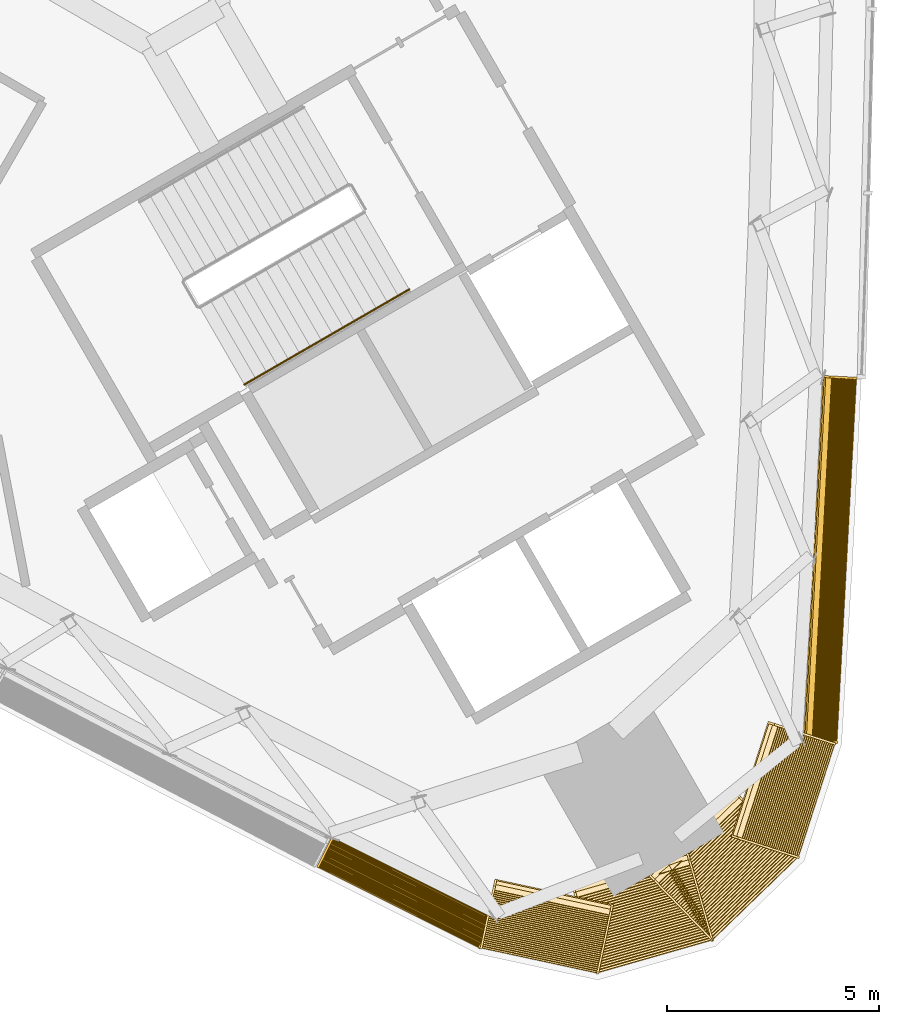
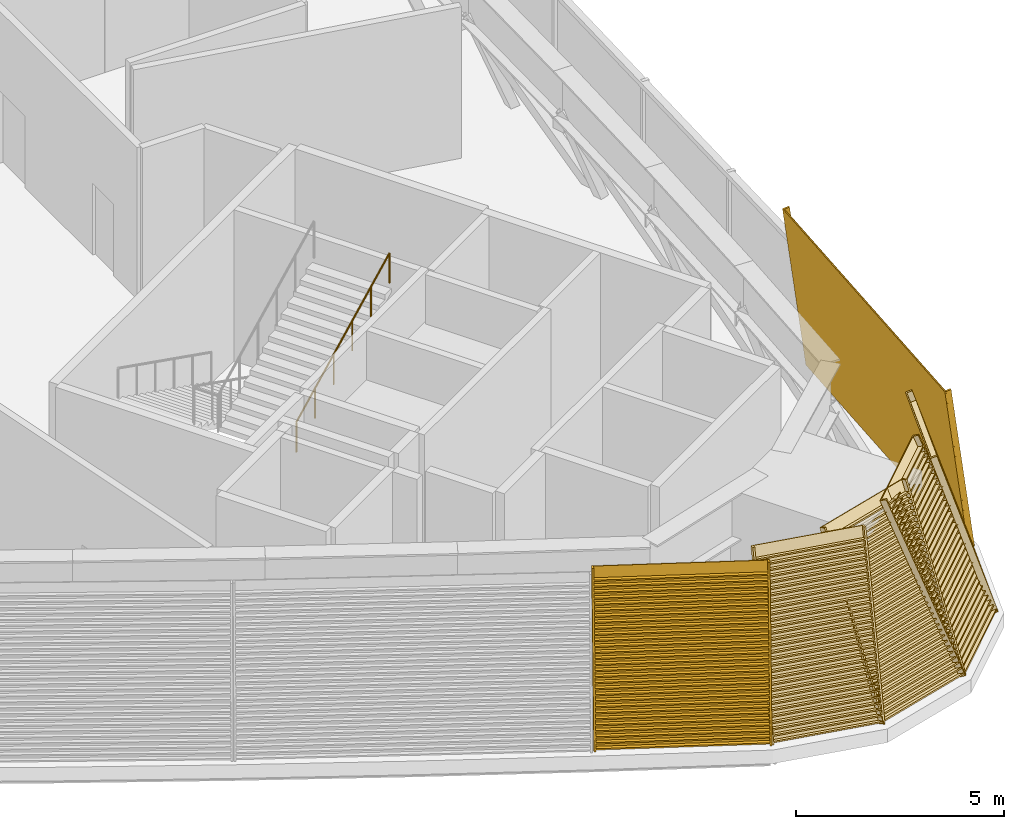
# One storey, part 15 of 18: 6 coverings, 1 railing.
"""IFC4 building model written with IfcOpenShell, lengths in metres."""

from ifc_helpers import new_model, si_unit, direction, frame, frame_2d, origin, origin_2d, place, context, subcontext, project, spatial, rectangle, circle, extrude, source, transform, mapped, material, type_object, element, save


model = new_model("IFC4")

# Units and contexts
model_context = context("Model", 3, precision=1e-05, world=origin(), true_north=direction((0.0, 1.0)))
body_context = subcontext(model_context, "Body", "Model", "MODEL_VIEW")
ifc_project = project(units=[si_unit("LENGTHUNIT", "METRE"), si_unit("AREAUNIT", "SQUARE_METRE"), si_unit("VOLUMEUNIT", "CUBIC_METRE"), si_unit("PLANEANGLEUNIT", "RADIAN"), si_unit("MASSUNIT", "GRAM", prefix="KILO")], contexts=[model_context])

# Site, building, storey
site_placement = place(None, origin())
site = spatial("IfcSite", under=ifc_project, at=site_placement, CompositionType="ELEMENT")
building_placement = place(site_placement, origin())
building = spatial("IfcBuilding", under=site, at=building_placement, Name="Tamra Quay Hotel Tower", CompositionType="ELEMENT")
storey_placement = place(building_placement, frame((0.0, 0.0, 164.800048828125)))
storey = spatial("IfcBuildingStorey", under=building, at=storey_placement, Name="L41", CompositionType="ELEMENT", Elevation=164.800048828125)

# Railing
ifc_material_1 = material(Name="Stair handrail 900")
railing_type = type_object("IfcRailingType", Name="Stair handrail 900", PredefinedType="HANDRAIL", material=ifc_material_1)
railing_placement = place(storey_placement, frame((5.393310546875, -15.351318359375, 2.550048828125)))
element("IfcRailing", 1, at=railing_placement, inside=storey, type_object=railing_type, Name="HR", PredefinedType="HANDRAIL", context=body_context, shape_type="SweptSolid", body=[
    extrude(circle(Radius=0.02392578125, at=origin_2d()), frame((0.0, 0.0, 0.8759765625), z_axis=(0.774075664405, 0.446909609502, 0.448417959844), x_axis=(-0.499997328569, 0.86602694613, 0.0)), (0.0, 0.0, 1.0), 5.017578125),
    extrude(circle(Radius=0.02099609375, at=origin_2d()), origin(), (0.0, 0.0, 1.0), 0.851806640625),
    extrude(circle(Radius=0.02099609375, at=origin_2d()), frame((0.77685546875, 0.448486328125, 0.449951171875)), (0.0, 0.0, 1.0), 0.851806640625),
    extrude(circle(Radius=0.02099609375, at=origin_2d()), frame((1.5537109375, 0.89697265625, 0.89990234375)), (0.0, 0.0, 1.0), 0.851806640625),
    extrude(circle(Radius=0.02099609375, at=origin_2d()), frame((2.330322265625, 1.345458984375, 1.35009765625)), (0.0, 0.0, 1.0), 0.851806640625),
    extrude(circle(Radius=0.02099609375, at=origin_2d()), frame((3.107177734375, 1.7939453125, 1.800048828125)), (0.0, 0.0, 1.0), 0.851806640625),
    extrude(circle(Radius=0.02099609375, at=origin_2d()), frame((3.884033203125, 2.242431640625, 2.25)), (0.0, 0.0, 1.0), 0.851806640625),
])

# Coverings
ifc_material_2 = material(Name="Terracotta louvre panel", Category="masonry")
covering_type_1 = type_object("IfcCoveringType", Name="PLANT LOUVRE H4841", PredefinedType="USERDEFINED", material=ifc_material_2)
shared_shape_1 = source(origin(), body_context, "Body", "SweptSolid", [
    extrude(rectangle(XDim=8.639892578125, YDim=0.030029296875, at=frame_2d((4.31982421875, 0.01513671875))), frame((-4.320068359375, -0.030029296875, 0.0)), (0.0, 0.0, 1.0), 4.841064453125),
    extrude(rectangle(XDim=0.050048828125, YDim=0.139892578125, at=frame_2d((0.02490234375, 0.06982421875))), frame((-4.320068359375, -0.169921875, 0.0)), (0.0, 0.0, 1.0), 4.841064453125),
    extrude(rectangle(XDim=0.050048828125, YDim=0.139892578125, at=frame_2d((0.02490234375, 0.06982421875))), frame((4.27001953125, -0.169921875, 0.0)), (0.0, 0.0, 1.0), 4.841064453125),
    extrude(rectangle(XDim=8.5400390625, YDim=0.139892578125, at=frame_2d((4.27001953125, 0.06982421875))), frame((-4.27001953125, -0.169921875, 0.050048828125)), (0.0, 0.0, 1.0), 0.034912109375),
    extrude(rectangle(XDim=8.5400390625, YDim=0.139892578125, at=frame_2d((4.27001953125, 0.06982421875))), frame((-4.27001953125, -0.169921875, 0.2099609375)), (0.0, 0.0, 1.0), 0.034912109375),
    extrude(rectangle(XDim=8.5400390625, YDim=0.139892578125, at=frame_2d((4.27001953125, 0.06982421875))), frame((-4.27001953125, -0.169921875, 0.3701171875)), (0.0, 0.0, 1.0), 0.034912109375),
    extrude(rectangle(XDim=8.5400390625, YDim=0.139892578125, at=frame_2d((4.27001953125, 0.06982421875))), frame((-4.27001953125, -0.169921875, 0.530029296875)), (0.0, 0.0, 1.0), 0.034912109375),
    extrude(rectangle(XDim=8.5400390625, YDim=0.139892578125, at=frame_2d((4.27001953125, 0.06982421875))), frame((-4.27001953125, -0.169921875, 0.68994140625)), (0.0, 0.0, 1.0), 0.034912109375),
    extrude(rectangle(XDim=8.5400390625, YDim=0.139892578125, at=frame_2d((4.27001953125, 0.06982421875))), frame((-4.27001953125, -0.169921875, 0.85009765625)), (0.0, 0.0, 1.0), 0.034912109375),
    extrude(rectangle(XDim=8.5400390625, YDim=0.139892578125, at=frame_2d((4.27001953125, 0.06982421875))), frame((-4.27001953125, -0.169921875, 1.010009765625)), (0.0, 0.0, 1.0), 0.034912109375),
    extrude(rectangle(XDim=8.5400390625, YDim=0.139892578125, at=frame_2d((4.27001953125, 0.06982421875))), frame((-4.27001953125, -0.169921875, 1.169921875)), (0.0, 0.0, 1.0), 0.034912109375),
    extrude(rectangle(XDim=8.5400390625, YDim=0.139892578125, at=frame_2d((4.27001953125, 0.06982421875))), frame((-4.27001953125, -0.169921875, 1.330078125)), (0.0, 0.0, 1.0), 0.034912109375),
    extrude(rectangle(XDim=8.5400390625, YDim=0.139892578125, at=frame_2d((4.27001953125, 0.06982421875))), frame((-4.27001953125, -0.169921875, 1.489990234375)), (0.0, 0.0, 1.0), 0.034912109375),
    extrude(rectangle(XDim=8.5400390625, YDim=0.139892578125, at=frame_2d((4.27001953125, 0.06982421875))), frame((-4.27001953125, -0.169921875, 1.64990234375)), (0.0, 0.0, 1.0), 0.034912109375),
    extrude(rectangle(XDim=8.5400390625, YDim=0.139892578125, at=frame_2d((4.27001953125, 0.06982421875))), frame((-4.27001953125, -0.169921875, 1.81005859375)), (0.0, 0.0, 1.0), 0.034912109375),
    extrude(rectangle(XDim=8.5400390625, YDim=0.139892578125, at=frame_2d((4.27001953125, 0.06982421875))), frame((-4.27001953125, -0.169921875, 1.969970703125)), (0.0, 0.0, 1.0), 0.034912109375),
    extrude(rectangle(XDim=8.5400390625, YDim=0.139892578125, at=frame_2d((4.27001953125, 0.06982421875))), frame((-4.27001953125, -0.169921875, 2.1298828125)), (0.0, 0.0, 1.0), 0.034912109375),
    extrude(rectangle(XDim=8.5400390625, YDim=0.139892578125, at=frame_2d((4.27001953125, 0.06982421875))), frame((-4.27001953125, -0.169921875, 2.2900390625)), (0.0, 0.0, 1.0), 0.034912109375),
    extrude(rectangle(XDim=8.5400390625, YDim=0.139892578125, at=frame_2d((4.27001953125, 0.06982421875))), frame((-4.27001953125, -0.169921875, 2.449951171875)), (0.0, 0.0, 1.0), 0.034912109375),
    extrude(rectangle(XDim=8.5400390625, YDim=0.139892578125, at=frame_2d((4.27001953125, 0.06982421875))), frame((-4.27001953125, -0.169921875, 2.610107421875)), (0.0, 0.0, 1.0), 0.034912109375),
    extrude(rectangle(XDim=8.5400390625, YDim=0.139892578125, at=frame_2d((4.27001953125, 0.06982421875))), frame((-4.27001953125, -0.169921875, 2.77001953125)), (0.0, 0.0, 1.0), 0.034912109375),
    extrude(rectangle(XDim=8.5400390625, YDim=0.139892578125, at=frame_2d((4.27001953125, 0.06982421875))), frame((-4.27001953125, -0.169921875, 2.929931640625)), (0.0, 0.0, 1.0), 0.034912109375),
    extrude(rectangle(XDim=8.5400390625, YDim=0.139892578125, at=frame_2d((4.27001953125, 0.06982421875))), frame((-4.27001953125, -0.169921875, 3.090087890625)), (0.0, 0.0, 1.0), 0.034912109375),
    extrude(rectangle(XDim=8.5400390625, YDim=0.139892578125, at=frame_2d((4.27001953125, 0.06982421875))), frame((-4.27001953125, -0.169921875, 3.25)), (0.0, 0.0, 1.0), 0.034912109375),
    extrude(rectangle(XDim=8.5400390625, YDim=0.139892578125, at=frame_2d((4.27001953125, 0.06982421875))), frame((-4.27001953125, -0.169921875, 3.409912109375)), (0.0, 0.0, 1.0), 0.034912109375),
    extrude(rectangle(XDim=8.5400390625, YDim=0.139892578125, at=frame_2d((4.27001953125, 0.06982421875))), frame((-4.27001953125, -0.169921875, 3.570068359375)), (0.0, 0.0, 1.0), 0.034912109375),
    extrude(rectangle(XDim=8.5400390625, YDim=0.139892578125, at=frame_2d((4.27001953125, 0.06982421875))), frame((-4.27001953125, -0.169921875, 3.72998046875)), (0.0, 0.0, 1.0), 0.034912109375),
    extrude(rectangle(XDim=8.5400390625, YDim=0.139892578125, at=frame_2d((4.27001953125, 0.06982421875))), frame((-4.27001953125, -0.169921875, 3.889892578125)), (0.0, 0.0, 1.0), 0.034912109375),
    extrude(rectangle(XDim=8.5400390625, YDim=0.139892578125, at=frame_2d((4.27001953125, 0.06982421875))), frame((-4.27001953125, -0.169921875, 4.050048828125)), (0.0, 0.0, 1.0), 0.034912109375),
    extrude(rectangle(XDim=8.5400390625, YDim=0.139892578125, at=frame_2d((4.27001953125, 0.06982421875))), frame((-4.27001953125, -0.169921875, 4.2099609375)), (0.0, 0.0, 1.0), 0.034912109375),
    extrude(rectangle(XDim=8.5400390625, YDim=0.139892578125, at=frame_2d((4.27001953125, 0.06982421875))), frame((-4.27001953125, -0.169921875, 4.3701171875)), (0.0, 0.0, 1.0), 0.034912109375),
    extrude(rectangle(XDim=8.5400390625, YDim=0.139892578125, at=frame_2d((4.27001953125, 0.06982421875))), frame((-4.27001953125, -0.169921875, 4.530029296875)), (0.0, 0.0, 1.0), 0.034912109375),
])
covering_1_placement = place(storey_placement, frame((19.430419921875, -19.484130859375, 0.0), z_axis=(-0.130337888847, 0.007008679353, 0.991444861374), x_axis=(0.053695578134, 0.998557351828, 0.0)))
element("IfcCovering", 2, at=covering_1_placement, inside=storey, type_object=covering_type_1, Name="Plant louvre L41.E.f00", ObjectType="LOUVER", PredefinedType="USERDEFINED", context=body_context, shape_type="MappedRepresentation", body=[
    mapped(shared_shape_1, transform((0.0, 0.0, 0.0), scale=1.0)),
])
covering_type_2 = type_object("IfcCoveringType", Name="PLANT LOUVRE H4874", PredefinedType="USERDEFINED", material=ifc_material_2)
shared_shape_2 = source(origin(), body_context, "Body", "SweptSolid", [
    extrude(rectangle(XDim=4.300048828125, YDim=0.030029296875, at=frame_2d((2.14990234375, 0.01513671875))), frame((-2.14990234375, -0.030029296875, 0.0)), (0.0, 0.0, 1.0), 4.8740234375),
    extrude(rectangle(XDim=0.050048828125, YDim=0.139892578125, at=frame_2d((0.02490234375, 0.06982421875))), frame((-2.14990234375, -0.169921875, 0.0)), (0.0, 0.0, 1.0), 4.8740234375),
    extrude(rectangle(XDim=0.050048828125, YDim=0.139892578125, at=frame_2d((0.02490234375, 0.06982421875))), frame((2.10009765625, -0.169921875, 0.0)), (0.0, 0.0, 1.0), 4.8740234375),
    extrude(rectangle(XDim=4.199951171875, YDim=0.139892578125, at=frame_2d((2.10009765625, 0.06982421875))), frame((-2.10009765625, -0.169921875, 0.050048828125)), (0.0, 0.0, 1.0), 0.034912109375),
    extrude(rectangle(XDim=4.199951171875, YDim=0.139892578125, at=frame_2d((2.10009765625, 0.06982421875))), frame((-2.10009765625, -0.169921875, 0.2099609375)), (0.0, 0.0, 1.0), 0.034912109375),
    extrude(rectangle(XDim=4.199951171875, YDim=0.139892578125, at=frame_2d((2.10009765625, 0.06982421875))), frame((-2.10009765625, -0.169921875, 0.3701171875)), (0.0, 0.0, 1.0), 0.034912109375),
    extrude(rectangle(XDim=4.199951171875, YDim=0.139892578125, at=frame_2d((2.10009765625, 0.06982421875))), frame((-2.10009765625, -0.169921875, 0.530029296875)), (0.0, 0.0, 1.0), 0.034912109375),
    extrude(rectangle(XDim=4.199951171875, YDim=0.139892578125, at=frame_2d((2.10009765625, 0.06982421875))), frame((-2.10009765625, -0.169921875, 0.68994140625)), (0.0, 0.0, 1.0), 0.034912109375),
    extrude(rectangle(XDim=4.199951171875, YDim=0.139892578125, at=frame_2d((2.10009765625, 0.06982421875))), frame((-2.10009765625, -0.169921875, 0.85009765625)), (0.0, 0.0, 1.0), 0.034912109375),
    extrude(rectangle(XDim=4.199951171875, YDim=0.139892578125, at=frame_2d((2.10009765625, 0.06982421875))), frame((-2.10009765625, -0.169921875, 1.010009765625)), (0.0, 0.0, 1.0), 0.034912109375),
    extrude(rectangle(XDim=4.199951171875, YDim=0.139892578125, at=frame_2d((2.10009765625, 0.06982421875))), frame((-2.10009765625, -0.169921875, 1.169921875)), (0.0, 0.0, 1.0), 0.034912109375),
    extrude(rectangle(XDim=4.199951171875, YDim=0.139892578125, at=frame_2d((2.10009765625, 0.06982421875))), frame((-2.10009765625, -0.169921875, 1.330078125)), (0.0, 0.0, 1.0), 0.034912109375),
    extrude(rectangle(XDim=4.199951171875, YDim=0.139892578125, at=frame_2d((2.10009765625, 0.06982421875))), frame((-2.10009765625, -0.169921875, 1.489990234375)), (0.0, 0.0, 1.0), 0.034912109375),
    extrude(rectangle(XDim=4.199951171875, YDim=0.139892578125, at=frame_2d((2.10009765625, 0.06982421875))), frame((-2.10009765625, -0.169921875, 1.64990234375)), (0.0, 0.0, 1.0), 0.034912109375),
    extrude(rectangle(XDim=4.199951171875, YDim=0.139892578125, at=frame_2d((2.10009765625, 0.06982421875))), frame((-2.10009765625, -0.169921875, 1.81005859375)), (0.0, 0.0, 1.0), 0.034912109375),
    extrude(rectangle(XDim=4.199951171875, YDim=0.139892578125, at=frame_2d((2.10009765625, 0.06982421875))), frame((-2.10009765625, -0.169921875, 1.969970703125)), (0.0, 0.0, 1.0), 0.034912109375),
    extrude(rectangle(XDim=4.199951171875, YDim=0.139892578125, at=frame_2d((2.10009765625, 0.06982421875))), frame((-2.10009765625, -0.169921875, 2.1298828125)), (0.0, 0.0, 1.0), 0.034912109375),
    extrude(rectangle(XDim=4.199951171875, YDim=0.139892578125, at=frame_2d((2.10009765625, 0.06982421875))), frame((-2.10009765625, -0.169921875, 2.2900390625)), (0.0, 0.0, 1.0), 0.034912109375),
    extrude(rectangle(XDim=4.199951171875, YDim=0.139892578125, at=frame_2d((2.10009765625, 0.06982421875))), frame((-2.10009765625, -0.169921875, 2.449951171875)), (0.0, 0.0, 1.0), 0.034912109375),
    extrude(rectangle(XDim=4.199951171875, YDim=0.139892578125, at=frame_2d((2.10009765625, 0.06982421875))), frame((-2.10009765625, -0.169921875, 2.610107421875)), (0.0, 0.0, 1.0), 0.034912109375),
    extrude(rectangle(XDim=4.199951171875, YDim=0.139892578125, at=frame_2d((2.10009765625, 0.06982421875))), frame((-2.10009765625, -0.169921875, 2.77001953125)), (0.0, 0.0, 1.0), 0.034912109375),
    extrude(rectangle(XDim=4.199951171875, YDim=0.139892578125, at=frame_2d((2.10009765625, 0.06982421875))), frame((-2.10009765625, -0.169921875, 2.929931640625)), (0.0, 0.0, 1.0), 0.034912109375),
    extrude(rectangle(XDim=4.199951171875, YDim=0.139892578125, at=frame_2d((2.10009765625, 0.06982421875))), frame((-2.10009765625, -0.169921875, 3.090087890625)), (0.0, 0.0, 1.0), 0.034912109375),
    extrude(rectangle(XDim=4.199951171875, YDim=0.139892578125, at=frame_2d((2.10009765625, 0.06982421875))), frame((-2.10009765625, -0.169921875, 3.25)), (0.0, 0.0, 1.0), 0.034912109375),
    extrude(rectangle(XDim=4.199951171875, YDim=0.139892578125, at=frame_2d((2.10009765625, 0.06982421875))), frame((-2.10009765625, -0.169921875, 3.409912109375)), (0.0, 0.0, 1.0), 0.034912109375),
    extrude(rectangle(XDim=4.199951171875, YDim=0.139892578125, at=frame_2d((2.10009765625, 0.06982421875))), frame((-2.10009765625, -0.169921875, 3.570068359375)), (0.0, 0.0, 1.0), 0.034912109375),
    extrude(rectangle(XDim=4.199951171875, YDim=0.139892578125, at=frame_2d((2.10009765625, 0.06982421875))), frame((-2.10009765625, -0.169921875, 3.72998046875)), (0.0, 0.0, 1.0), 0.034912109375),
    extrude(rectangle(XDim=4.199951171875, YDim=0.139892578125, at=frame_2d((2.10009765625, 0.06982421875))), frame((-2.10009765625, -0.169921875, 3.889892578125)), (0.0, 0.0, 1.0), 0.034912109375),
    extrude(rectangle(XDim=4.199951171875, YDim=0.139892578125, at=frame_2d((2.10009765625, 0.06982421875))), frame((-2.10009765625, -0.169921875, 4.050048828125)), (0.0, 0.0, 1.0), 0.034912109375),
    extrude(rectangle(XDim=4.199951171875, YDim=0.139892578125, at=frame_2d((2.10009765625, 0.06982421875))), frame((-2.10009765625, -0.169921875, 4.2099609375)), (0.0, 0.0, 1.0), 0.034912109375),
    extrude(rectangle(XDim=4.199951171875, YDim=0.139892578125, at=frame_2d((2.10009765625, 0.06982421875))), frame((-2.10009765625, -0.169921875, 4.3701171875)), (0.0, 0.0, 1.0), 0.034912109375),
    extrude(rectangle(XDim=4.199951171875, YDim=0.139892578125, at=frame_2d((2.10009765625, 0.06982421875))), frame((-2.10009765625, -0.169921875, 4.530029296875)), (0.0, 0.0, 1.0), 0.034912109375),
])
covering_2_placement = place(storey_placement, frame((9.095458984375, -27.538330078125, 0.0), z_axis=(0.077700322209, 0.155294396344, 0.984807753012), x_axis=(0.894304785861, -0.447458322065, 0.0)))
element("IfcCovering", 3, at=covering_2_placement, inside=storey, type_object=covering_type_2, Name="Plant louvre L41.SW.f10", ObjectType="LOUVER", PredefinedType="USERDEFINED", context=body_context, shape_type="MappedRepresentation", body=[
    mapped(shared_shape_2, transform((0.0, 0.0, 0.0), scale=1.0)),
])
covering_type_3 = type_object("IfcCoveringType", Name="PLANT LOUVRE H5033", PredefinedType="USERDEFINED", material=ifc_material_2)
shared_shape_3 = source(origin(), body_context, "Body", "SweptSolid", [
    extrude(rectangle(XDim=2.860107421875, YDim=0.030029296875, at=frame_2d((1.43017578125, 0.01513671875))), frame((-1.429931640625, -0.030029296875, 0.0)), (0.0, 0.0, 1.0), 5.032958984375),
    extrude(rectangle(XDim=0.050048828125, YDim=0.139892578125, at=frame_2d((0.02490234375, 0.06982421875))), frame((-1.429931640625, -0.169921875, 0.0)), (0.0, 0.0, 1.0), 5.032958984375),
    extrude(rectangle(XDim=0.050048828125, YDim=0.139892578125, at=frame_2d((0.02490234375, 0.06982421875))), frame((1.3798828125, -0.169921875, 0.0)), (0.0, 0.0, 1.0), 5.032958984375),
    extrude(rectangle(XDim=2.760009765625, YDim=0.139892578125, at=frame_2d((1.3798828125, 0.06982421875))), frame((-1.3798828125, -0.169921875, 0.050048828125)), (0.0, 0.0, 1.0), 0.034912109375),
    extrude(rectangle(XDim=2.760009765625, YDim=0.139892578125, at=frame_2d((1.3798828125, 0.06982421875))), frame((-1.3798828125, -0.169921875, 0.2099609375)), (0.0, 0.0, 1.0), 0.034912109375),
    extrude(rectangle(XDim=2.760009765625, YDim=0.139892578125, at=frame_2d((1.3798828125, 0.06982421875))), frame((-1.3798828125, -0.169921875, 0.3701171875)), (0.0, 0.0, 1.0), 0.034912109375),
    extrude(rectangle(XDim=2.760009765625, YDim=0.139892578125, at=frame_2d((1.3798828125, 0.06982421875))), frame((-1.3798828125, -0.169921875, 0.530029296875)), (0.0, 0.0, 1.0), 0.034912109375),
    extrude(rectangle(XDim=2.760009765625, YDim=0.139892578125, at=frame_2d((1.3798828125, 0.06982421875))), frame((-1.3798828125, -0.169921875, 0.68994140625)), (0.0, 0.0, 1.0), 0.034912109375),
    extrude(rectangle(XDim=2.760009765625, YDim=0.139892578125, at=frame_2d((1.3798828125, 0.06982421875))), frame((-1.3798828125, -0.169921875, 0.85009765625)), (0.0, 0.0, 1.0), 0.034912109375),
    extrude(rectangle(XDim=2.760009765625, YDim=0.139892578125, at=frame_2d((1.3798828125, 0.06982421875))), frame((-1.3798828125, -0.169921875, 1.010009765625)), (0.0, 0.0, 1.0), 0.034912109375),
    extrude(rectangle(XDim=2.760009765625, YDim=0.139892578125, at=frame_2d((1.3798828125, 0.06982421875))), frame((-1.3798828125, -0.169921875, 1.169921875)), (0.0, 0.0, 1.0), 0.034912109375),
    extrude(rectangle(XDim=2.760009765625, YDim=0.139892578125, at=frame_2d((1.3798828125, 0.06982421875))), frame((-1.3798828125, -0.169921875, 1.330078125)), (0.0, 0.0, 1.0), 0.034912109375),
    extrude(rectangle(XDim=2.760009765625, YDim=0.139892578125, at=frame_2d((1.3798828125, 0.06982421875))), frame((-1.3798828125, -0.169921875, 1.489990234375)), (0.0, 0.0, 1.0), 0.034912109375),
    extrude(rectangle(XDim=2.760009765625, YDim=0.139892578125, at=frame_2d((1.3798828125, 0.06982421875))), frame((-1.3798828125, -0.169921875, 1.64990234375)), (0.0, 0.0, 1.0), 0.034912109375),
    extrude(rectangle(XDim=2.760009765625, YDim=0.139892578125, at=frame_2d((1.3798828125, 0.06982421875))), frame((-1.3798828125, -0.169921875, 1.81005859375)), (0.0, 0.0, 1.0), 0.034912109375),
    extrude(rectangle(XDim=2.760009765625, YDim=0.139892578125, at=frame_2d((1.3798828125, 0.06982421875))), frame((-1.3798828125, -0.169921875, 1.969970703125)), (0.0, 0.0, 1.0), 0.034912109375),
    extrude(rectangle(XDim=2.760009765625, YDim=0.139892578125, at=frame_2d((1.3798828125, 0.06982421875))), frame((-1.3798828125, -0.169921875, 2.1298828125)), (0.0, 0.0, 1.0), 0.034912109375),
    extrude(rectangle(XDim=2.760009765625, YDim=0.139892578125, at=frame_2d((1.3798828125, 0.06982421875))), frame((-1.3798828125, -0.169921875, 2.2900390625)), (0.0, 0.0, 1.0), 0.034912109375),
    extrude(rectangle(XDim=2.760009765625, YDim=0.139892578125, at=frame_2d((1.3798828125, 0.06982421875))), frame((-1.3798828125, -0.169921875, 2.449951171875)), (0.0, 0.0, 1.0), 0.034912109375),
    extrude(rectangle(XDim=2.760009765625, YDim=0.139892578125, at=frame_2d((1.3798828125, 0.06982421875))), frame((-1.3798828125, -0.169921875, 2.610107421875)), (0.0, 0.0, 1.0), 0.034912109375),
    extrude(rectangle(XDim=2.760009765625, YDim=0.139892578125, at=frame_2d((1.3798828125, 0.06982421875))), frame((-1.3798828125, -0.169921875, 2.77001953125)), (0.0, 0.0, 1.0), 0.034912109375),
    extrude(rectangle(XDim=2.760009765625, YDim=0.139892578125, at=frame_2d((1.3798828125, 0.06982421875))), frame((-1.3798828125, -0.169921875, 2.929931640625)), (0.0, 0.0, 1.0), 0.034912109375),
    extrude(rectangle(XDim=2.760009765625, YDim=0.139892578125, at=frame_2d((1.3798828125, 0.06982421875))), frame((-1.3798828125, -0.169921875, 3.090087890625)), (0.0, 0.0, 1.0), 0.034912109375),
    extrude(rectangle(XDim=2.760009765625, YDim=0.139892578125, at=frame_2d((1.3798828125, 0.06982421875))), frame((-1.3798828125, -0.169921875, 3.25)), (0.0, 0.0, 1.0), 0.034912109375),
    extrude(rectangle(XDim=2.760009765625, YDim=0.139892578125, at=frame_2d((1.3798828125, 0.06982421875))), frame((-1.3798828125, -0.169921875, 3.409912109375)), (0.0, 0.0, 1.0), 0.034912109375),
    extrude(rectangle(XDim=2.760009765625, YDim=0.139892578125, at=frame_2d((1.3798828125, 0.06982421875))), frame((-1.3798828125, -0.169921875, 3.570068359375)), (0.0, 0.0, 1.0), 0.034912109375),
    extrude(rectangle(XDim=2.760009765625, YDim=0.139892578125, at=frame_2d((1.3798828125, 0.06982421875))), frame((-1.3798828125, -0.169921875, 3.72998046875)), (0.0, 0.0, 1.0), 0.034912109375),
    extrude(rectangle(XDim=2.760009765625, YDim=0.139892578125, at=frame_2d((1.3798828125, 0.06982421875))), frame((-1.3798828125, -0.169921875, 3.889892578125)), (0.0, 0.0, 1.0), 0.034912109375),
    extrude(rectangle(XDim=2.760009765625, YDim=0.139892578125, at=frame_2d((1.3798828125, 0.06982421875))), frame((-1.3798828125, -0.169921875, 4.050048828125)), (0.0, 0.0, 1.0), 0.034912109375),
    extrude(rectangle(XDim=2.760009765625, YDim=0.139892578125, at=frame_2d((1.3798828125, 0.06982421875))), frame((-1.3798828125, -0.169921875, 4.2099609375)), (0.0, 0.0, 1.0), 0.034912109375),
    extrude(rectangle(XDim=2.760009765625, YDim=0.139892578125, at=frame_2d((1.3798828125, 0.06982421875))), frame((-1.3798828125, -0.169921875, 4.3701171875)), (0.0, 0.0, 1.0), 0.034912109375),
    extrude(rectangle(XDim=2.760009765625, YDim=0.139892578125, at=frame_2d((1.3798828125, 0.06982421875))), frame((-1.3798828125, -0.169921875, 4.530029296875)), (0.0, 0.0, 1.0), 0.034912109375),
    extrude(rectangle(XDim=2.760009765625, YDim=0.139892578125, at=frame_2d((1.3798828125, 0.06982421875))), frame((-1.3798828125, -0.169921875, 4.68994140625)), (0.0, 0.0, 1.0), 0.034912109375),
])
for number, where, z_axis, x_axis, name in (
    (4, (12.376708984375, -28.78857421875, 0.0), (0.063478838166, 0.293929268636, 0.953716950748), (0.97746458206, -0.211099480856, 0.0), "Plant louvre L41.SW.c00"),
    (5, (18.743408203125, -25.11279296875, 0.0), (-0.286289632637, 0.091990347864, 0.953716950748), (0.305914777883, 0.952058899792, 0.0), "Plant louvre L41.SW.c03"),
):
    element("IfcCovering", number, at=place(storey_placement, frame(where, z_axis=z_axis, x_axis=x_axis)), inside=storey, type_object=covering_type_3, Name=name, ObjectType="LOUVER", PredefinedType="USERDEFINED", context=body_context, shape_type="MappedRepresentation", body=[
        mapped(shared_shape_3, transform((0.0, 0.0, 0.0), scale=1.0)),
    ])
covering_type_4 = type_object("IfcCoveringType", Name="PLANT LOUVRE H5195", PredefinedType="USERDEFINED", material=ifc_material_2)
shared_shape_4 = source(origin(), body_context, "Body", "SweptSolid", [
    extrude(rectangle(XDim=2.860107421875, YDim=0.030029296875, at=frame_2d((1.43017578125, 0.01513671875))), frame((-1.429931640625, -0.030029296875, 0.0)), (0.0, 0.0, 1.0), 5.195068359375),
    extrude(rectangle(XDim=0.050048828125, YDim=0.139892578125, at=frame_2d((0.02490234375, 0.06982421875))), frame((-1.429931640625, -0.169921875, 0.0)), (0.0, 0.0, 1.0), 5.195068359375),
    extrude(rectangle(XDim=0.050048828125, YDim=0.139892578125, at=frame_2d((0.02490234375, 0.06982421875))), frame((1.3798828125, -0.169921875, 0.0)), (0.0, 0.0, 1.0), 5.195068359375),
    extrude(rectangle(XDim=2.760009765625, YDim=0.139892578125, at=frame_2d((1.3798828125, 0.06982421875))), frame((-1.3798828125, -0.169921875, 0.050048828125)), (0.0, 0.0, 1.0), 0.034912109375),
    extrude(rectangle(XDim=2.760009765625, YDim=0.139892578125, at=frame_2d((1.3798828125, 0.06982421875))), frame((-1.3798828125, -0.169921875, 0.2099609375)), (0.0, 0.0, 1.0), 0.034912109375),
    extrude(rectangle(XDim=2.760009765625, YDim=0.139892578125, at=frame_2d((1.3798828125, 0.06982421875))), frame((-1.3798828125, -0.169921875, 0.3701171875)), (0.0, 0.0, 1.0), 0.034912109375),
    extrude(rectangle(XDim=2.760009765625, YDim=0.139892578125, at=frame_2d((1.3798828125, 0.06982421875))), frame((-1.3798828125, -0.169921875, 0.530029296875)), (0.0, 0.0, 1.0), 0.034912109375),
    extrude(rectangle(XDim=2.760009765625, YDim=0.139892578125, at=frame_2d((1.3798828125, 0.06982421875))), frame((-1.3798828125, -0.169921875, 0.68994140625)), (0.0, 0.0, 1.0), 0.034912109375),
    extrude(rectangle(XDim=2.760009765625, YDim=0.139892578125, at=frame_2d((1.3798828125, 0.06982421875))), frame((-1.3798828125, -0.169921875, 0.85009765625)), (0.0, 0.0, 1.0), 0.034912109375),
    extrude(rectangle(XDim=2.760009765625, YDim=0.139892578125, at=frame_2d((1.3798828125, 0.06982421875))), frame((-1.3798828125, -0.169921875, 1.010009765625)), (0.0, 0.0, 1.0), 0.034912109375),
    extrude(rectangle(XDim=2.760009765625, YDim=0.139892578125, at=frame_2d((1.3798828125, 0.06982421875))), frame((-1.3798828125, -0.169921875, 1.169921875)), (0.0, 0.0, 1.0), 0.034912109375),
    extrude(rectangle(XDim=2.760009765625, YDim=0.139892578125, at=frame_2d((1.3798828125, 0.06982421875))), frame((-1.3798828125, -0.169921875, 1.330078125)), (0.0, 0.0, 1.0), 0.034912109375),
    extrude(rectangle(XDim=2.760009765625, YDim=0.139892578125, at=frame_2d((1.3798828125, 0.06982421875))), frame((-1.3798828125, -0.169921875, 1.489990234375)), (0.0, 0.0, 1.0), 0.034912109375),
    extrude(rectangle(XDim=2.760009765625, YDim=0.139892578125, at=frame_2d((1.3798828125, 0.06982421875))), frame((-1.3798828125, -0.169921875, 1.64990234375)), (0.0, 0.0, 1.0), 0.034912109375),
    extrude(rectangle(XDim=2.760009765625, YDim=0.139892578125, at=frame_2d((1.3798828125, 0.06982421875))), frame((-1.3798828125, -0.169921875, 1.81005859375)), (0.0, 0.0, 1.0), 0.034912109375),
    extrude(rectangle(XDim=2.760009765625, YDim=0.139892578125, at=frame_2d((1.3798828125, 0.06982421875))), frame((-1.3798828125, -0.169921875, 1.969970703125)), (0.0, 0.0, 1.0), 0.034912109375),
    extrude(rectangle(XDim=2.760009765625, YDim=0.139892578125, at=frame_2d((1.3798828125, 0.06982421875))), frame((-1.3798828125, -0.169921875, 2.1298828125)), (0.0, 0.0, 1.0), 0.034912109375),
    extrude(rectangle(XDim=2.760009765625, YDim=0.139892578125, at=frame_2d((1.3798828125, 0.06982421875))), frame((-1.3798828125, -0.169921875, 2.2900390625)), (0.0, 0.0, 1.0), 0.034912109375),
    extrude(rectangle(XDim=2.760009765625, YDim=0.139892578125, at=frame_2d((1.3798828125, 0.06982421875))), frame((-1.3798828125, -0.169921875, 2.449951171875)), (0.0, 0.0, 1.0), 0.034912109375),
    extrude(rectangle(XDim=2.760009765625, YDim=0.139892578125, at=frame_2d((1.3798828125, 0.06982421875))), frame((-1.3798828125, -0.169921875, 2.610107421875)), (0.0, 0.0, 1.0), 0.034912109375),
    extrude(rectangle(XDim=2.760009765625, YDim=0.139892578125, at=frame_2d((1.3798828125, 0.06982421875))), frame((-1.3798828125, -0.169921875, 2.77001953125)), (0.0, 0.0, 1.0), 0.034912109375),
    extrude(rectangle(XDim=2.760009765625, YDim=0.139892578125, at=frame_2d((1.3798828125, 0.06982421875))), frame((-1.3798828125, -0.169921875, 2.929931640625)), (0.0, 0.0, 1.0), 0.034912109375),
    extrude(rectangle(XDim=2.760009765625, YDim=0.139892578125, at=frame_2d((1.3798828125, 0.06982421875))), frame((-1.3798828125, -0.169921875, 3.090087890625)), (0.0, 0.0, 1.0), 0.034912109375),
    extrude(rectangle(XDim=2.760009765625, YDim=0.139892578125, at=frame_2d((1.3798828125, 0.06982421875))), frame((-1.3798828125, -0.169921875, 3.25)), (0.0, 0.0, 1.0), 0.034912109375),
    extrude(rectangle(XDim=2.760009765625, YDim=0.139892578125, at=frame_2d((1.3798828125, 0.06982421875))), frame((-1.3798828125, -0.169921875, 3.409912109375)), (0.0, 0.0, 1.0), 0.034912109375),
    extrude(rectangle(XDim=2.760009765625, YDim=0.139892578125, at=frame_2d((1.3798828125, 0.06982421875))), frame((-1.3798828125, -0.169921875, 3.570068359375)), (0.0, 0.0, 1.0), 0.034912109375),
    extrude(rectangle(XDim=2.760009765625, YDim=0.139892578125, at=frame_2d((1.3798828125, 0.06982421875))), frame((-1.3798828125, -0.169921875, 3.72998046875)), (0.0, 0.0, 1.0), 0.034912109375),
    extrude(rectangle(XDim=2.760009765625, YDim=0.139892578125, at=frame_2d((1.3798828125, 0.06982421875))), frame((-1.3798828125, -0.169921875, 3.889892578125)), (0.0, 0.0, 1.0), 0.034912109375),
    extrude(rectangle(XDim=2.760009765625, YDim=0.139892578125, at=frame_2d((1.3798828125, 0.06982421875))), frame((-1.3798828125, -0.169921875, 4.050048828125)), (0.0, 0.0, 1.0), 0.034912109375),
    extrude(rectangle(XDim=2.760009765625, YDim=0.139892578125, at=frame_2d((1.3798828125, 0.06982421875))), frame((-1.3798828125, -0.169921875, 4.2099609375)), (0.0, 0.0, 1.0), 0.034912109375),
    extrude(rectangle(XDim=2.760009765625, YDim=0.139892578125, at=frame_2d((1.3798828125, 0.06982421875))), frame((-1.3798828125, -0.169921875, 4.3701171875)), (0.0, 0.0, 1.0), 0.034912109375),
    extrude(rectangle(XDim=2.760009765625, YDim=0.139892578125, at=frame_2d((1.3798828125, 0.06982421875))), frame((-1.3798828125, -0.169921875, 4.530029296875)), (0.0, 0.0, 1.0), 0.034912109375),
    extrude(rectangle(XDim=2.760009765625, YDim=0.139892578125, at=frame_2d((1.3798828125, 0.06982421875))), frame((-1.3798828125, -0.169921875, 4.68994140625)), (0.0, 0.0, 1.0), 0.034912109375),
    extrude(rectangle(XDim=2.760009765625, YDim=0.139892578125, at=frame_2d((1.3798828125, 0.06982421875))), frame((-1.3798828125, -0.169921875, 4.85009765625)), (0.0, 0.0, 1.0), 0.034912109375),
])
for number, where, z_axis, x_axis, name in (
    (6, (15.03515625, -28.70166015625, 0.0), (-0.105082029697, 0.367973336591, 0.923879532511), (0.961560667302, 0.274592576551, 0.0), "Plant louvre L41.SW.c01"),
    (7, (17.338623046875, -27.37158203125, 0.0), (-0.266133242554, 0.274990375494, 0.923879532511), (0.718584480635, 0.695439676888, 0.0), "Plant louvre L41.SW.c02"),
):
    element("IfcCovering", number, at=place(storey_placement, frame(where, z_axis=z_axis, x_axis=x_axis)), inside=storey, type_object=covering_type_4, Name=name, ObjectType="LOUVER", PredefinedType="USERDEFINED", context=body_context, shape_type="MappedRepresentation", body=[
        mapped(shared_shape_4, transform((0.0, 0.0, 0.0), scale=1.0)),
    ])

save(model, "model.ifc")
